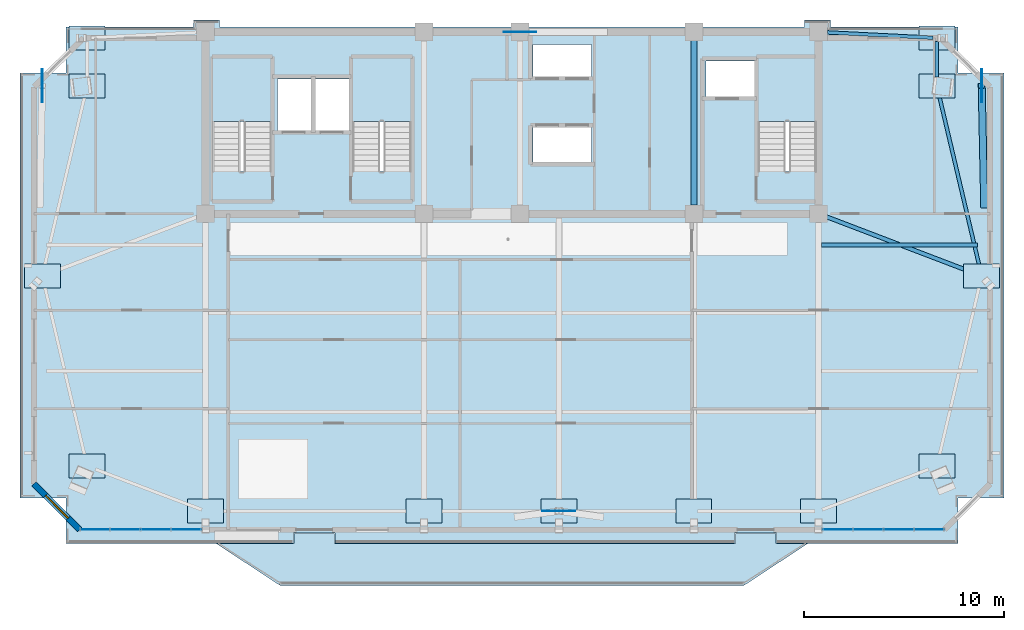
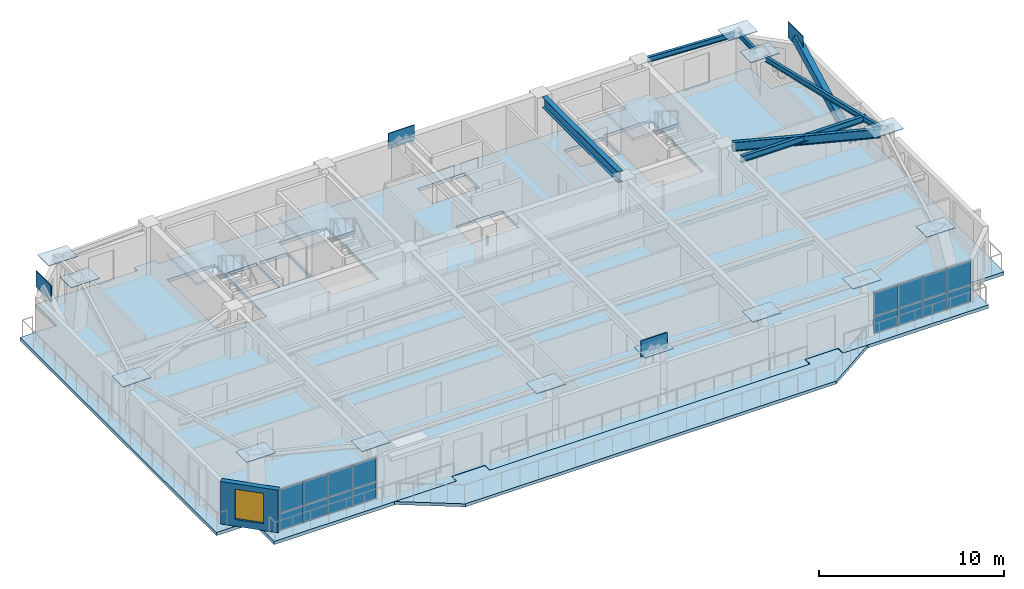
# One storey, part 5 of 13: 33 plates, 6 beams, 5 slabs, 1 member, 1 wall, 1 window, 1 opening, 5 elements without a shape of their own.
"""IFC4 building model written with IfcOpenShell, lengths in metres."""

from ifc_helpers import new_model, si_unit, direction, frame, frame_2d, origin, origin_2d, place, context, subcontext, project, spatial, polyline, rectangle, hollow_rectangle, i_section, outline, extrude, source, transform, mapped, material, layer, layer_set, material_profile, profile_set, type_object, element, fill, aggregate, save


model = new_model("IFC4")

# Units and contexts
model_context = context("Model", 3, precision=1e-05, world=origin(), true_north=direction((0.0, 1.0)))
body_context = subcontext(model_context, "Body", "Model", "MODEL_VIEW")
ifc_project = project(units=[si_unit("LENGTHUNIT", "METRE"), si_unit("AREAUNIT", "SQUARE_METRE"), si_unit("VOLUMEUNIT", "CUBIC_METRE"), si_unit("PLANEANGLEUNIT", "RADIAN"), si_unit("MASSUNIT", "GRAM", prefix="KILO")], contexts=[model_context])

# Site, building, storey
site_placement = place(None, origin())
site = spatial("IfcSite", under=ifc_project, at=site_placement, CompositionType="ELEMENT")
building_placement = place(site_placement, origin())
building = spatial("IfcBuilding", under=site, at=building_placement, Name="Giltprow Tower", CompositionType="ELEMENT")
storey_placement = place(building_placement, frame((0.0, 0.0, 332.300048828125)))
storey = spatial("IfcBuildingStorey", under=building, at=storey_placement, Name="L86", CompositionType="ELEMENT", Elevation=332.300048828125)

# Beams
ifc_material_1 = material(Name="Structural steel Q355B", Category="steel")
ifc_material_profile_1 = material_profile(ifc_material_1, i_section(OverallWidth=0.300048828125, OverallDepth=0.699951171875, WebThickness=0.012939453125, FlangeThickness=0.02392578125, at=origin_2d()), Name="HN 700x300x13x24")
ifc_profile_set_1 = profile_set([ifc_material_profile_1], Name="Structural steel Q355B")
beam_type_1 = type_object("IfcBeamType", Name="BM-GIRD-HN700", PredefinedType="BEAM", material=ifc_profile_set_1)
shared_shape_1 = source(origin(), body_context, "Body", "SweptSolid", [
    extrude(i_section(OverallWidth=0.300048828125, OverallDepth=0.699951171875, WebThickness=0.012939453125, FlangeThickness=0.02392578125, at=origin_2d()), origin(), (0.0, 0.0, 1.0), 8.22998046875),
])
beam_1_placement = place(storey_placement, frame((44.300048828125, 37.885009765625, 2.8349609375), z_axis=(0.0, 1.0, 0.0), x_axis=(-1.0, 0.0, 0.0)))
element("IfcBeam", 1, at=beam_1_placement, inside=storey, type_object=beam_type_1, Name="L86 Core Tie Girder M3", PredefinedType="BEAM", context=body_context, shape_type="MappedRepresentation", body=[
    mapped(shared_shape_1, transform((0.0, 0.0, 0.0), x_axis=(1.0, 0.0, 0.0), y_axis=(0.0, 1.0, 0.0), z_axis=(0.0, 0.0, 1.0), scale=1.0)),
])
ifc_material_profile_2 = material_profile(ifc_material_1, i_section(OverallWidth=0.175048828125, OverallDepth=0.35009765625, WebThickness=0.007080078125, FlangeThickness=0.010986328125, at=origin_2d()), Name="HN 350x175x7x11")
ifc_profile_set_2 = profile_set([ifc_material_profile_2], Name="Structural steel Q355B")
beam_type_2 = type_object("IfcBeamType", Name="BM-SPAN-HN350", PredefinedType="SPANDREL", material=ifc_profile_set_2)
shared_shape_2 = source(origin(), body_context, "Body", "SweptSolid", [
    extrude(i_section(OverallWidth=0.175048828125, OverallDepth=0.35009765625, WebThickness=0.007080078125, FlangeThickness=0.010986328125, at=origin_2d()), origin(), (0.0, 0.0, 1.0), 9.161865234375),
])
beam_2_placement = place(storey_placement, frame((58.673095703125, 34.513916015625, 3.010009765625), z_axis=(-0.22964825006, 0.973273692876, 0.0), x_axis=(-0.973273692876, -0.22964825006, 0.0)))
element("IfcBeam", 2, at=beam_2_placement, inside=storey, type_object=beam_type_2, Name="L86 Perimeter Spandrel Beam E_MID-MC_NE", PredefinedType="SPANDREL", context=body_context, shape_type="MappedRepresentation", body=[
    mapped(shared_shape_2, transform((0.0, 0.0, 0.0), x_axis=(1.0, 0.0, 0.0), y_axis=(0.0, 1.0, 0.0), z_axis=(0.0, 0.0, 1.0), scale=1.0)),
])
shared_shape_3 = source(origin(), body_context, "Body", "SweptSolid", [
    extrude(i_section(OverallWidth=0.175048828125, OverallDepth=0.35009765625, WebThickness=0.007080078125, FlangeThickness=0.010986328125, at=origin_2d()), origin(), (0.0, 0.0, 1.0), 1.77587890625),
])
beam_3_placement = place(storey_placement, frame((56.468994140625, 44.2890625, 3.010009765625), z_axis=(0.0, 1.0, 0.0), x_axis=(-1.0, 0.0, 0.0)))
element("IfcBeam", 3, at=beam_3_placement, inside=storey, type_object=beam_type_2, Name="L86 Perimeter Spandrel Beam MC_NE-N_E", PredefinedType="SPANDREL", context=body_context, shape_type="MappedRepresentation", body=[
    mapped(shared_shape_3, transform((0.0, 0.0, 0.0), x_axis=(1.0, 0.0, 0.0), y_axis=(0.0, 1.0, 0.0), z_axis=(0.0, 0.0, 1.0), scale=1.0)),
])
shared_shape_4 = source(origin(), body_context, "Body", "SweptSolid", [
    extrude(i_section(OverallWidth=0.175048828125, OverallDepth=0.35009765625, WebThickness=0.007080078125, FlangeThickness=0.010986328125, at=origin_2d()), origin(), (0.0, 0.0, 1.0), 5.306884765625),
])
beam_4_placement = place(storey_placement, frame((50.98388671875, 46.528076171875, 3.010009765625), z_axis=(0.998714076234, -0.050697080106, 0.0), x_axis=(0.050697080106, 0.998714076234, 0.0)))
element("IfcBeam", 4, at=beam_4_placement, inside=storey, type_object=beam_type_2, Name="L86 North Wing Spandrel E", PredefinedType="SPANDREL", context=body_context, shape_type="MappedRepresentation", body=[
    mapped(shared_shape_4, transform((0.0, 0.0, 0.0), x_axis=(1.0, 0.0, 0.0), y_axis=(0.0, 1.0, 0.0), z_axis=(0.0, 0.0, 1.0), scale=1.0)),
])
ifc_material_profile_3 = material_profile(ifc_material_1, i_section(OverallWidth=0.199951171875, OverallDepth=0.60009765625, WebThickness=0.010986328125, FlangeThickness=0.01708984375, at=origin_2d()), Name="HN 600x200x11x17")
ifc_profile_set_3 = profile_set([ifc_material_profile_3], Name="Structural steel Q355B")
beam_type_3 = type_object("IfcBeamType", Name="BM-GIRD-HN600", PredefinedType="BEAM", material=ifc_profile_set_3)
shared_shape_5 = source(origin(), body_context, "Body", "SweptSolid", [
    extrude(i_section(OverallWidth=0.199951171875, OverallDepth=0.60009765625, WebThickness=0.010986328125, FlangeThickness=0.01708984375, at=origin_2d()), origin(), (0.0, 0.0, 1.0), 8.11962890625),
])
beam_5_placement = place(storey_placement, frame((58.5419921875, 34.39990234375, 2.885009765625), z_axis=(-0.934277035034, 0.356547923579, 0.0), x_axis=(-0.356547923579, -0.934277035034, 0.0)))
element("IfcBeam", 5, at=beam_5_placement, inside=storey, type_object=beam_type_3, Name="L86 East Wing Primary Girder", PredefinedType="BEAM", context=body_context, shape_type="MappedRepresentation", body=[
    mapped(shared_shape_5, transform((0.0, 0.0, 0.0), x_axis=(1.0, 0.0, 0.0), y_axis=(0.0, 1.0, 0.0), z_axis=(0.0, 0.0, 1.0), scale=1.0)),
])
ifc_material_profile_4 = material_profile(ifc_material_1, i_section(OverallWidth=0.199951171875, OverallDepth=0.39990234375, WebThickness=0.008056640625, FlangeThickness=0.012939453125, at=origin_2d()), Name="HN 400x200x8x13")
ifc_profile_set_4 = profile_set([ifc_material_profile_4], Name="Structural steel Q355B")
beam_type_4 = type_object("IfcBeamType", Name="BM-JOIST-HN400", PredefinedType="JOIST", material=ifc_profile_set_4)
shared_shape_6 = source(origin(), body_context, "Body", "SweptSolid", [
    extrude(i_section(OverallWidth=0.199951171875, OverallDepth=0.39990234375, WebThickness=0.008056640625, FlangeThickness=0.012939453125, at=origin_2d()), origin(), (0.0, 0.0, 1.0), 7.800048828125),
])
beam_6_placement = place(storey_placement, frame((50.695068359375, 35.89208984375, 2.98486328125), z_axis=(1.0, 0.0, 0.0), x_axis=(0.0, 1.0, 0.0)))
element("IfcBeam", 6, at=beam_6_placement, inside=storey, type_object=beam_type_4, Name="L86 East Wing Floor Joist 2", PredefinedType="JOIST", context=body_context, shape_type="MappedRepresentation", body=[
    mapped(shared_shape_6, transform((0.0, 0.0, 0.0), x_axis=(1.0, 0.0, 0.0), y_axis=(0.0, 1.0, 0.0), z_axis=(0.0, 0.0, 1.0), scale=1.0)),
])

# Member
ifc_material_2 = material(Name="Structural steel Q420GJC", Category="steel")
ifc_material_profile_5 = material_profile(ifc_material_2, hollow_rectangle(XDim=0.35009765625, YDim=0.5, WallThickness=0.02392578125, at=origin_2d()), Name="RHS 500x350x24")
ifc_profile_set_5 = profile_set([ifc_material_profile_5], Name="Structural steel Q420GJC")
member_type = type_object("IfcMemberType", Name="MBR-MEGA-RHS500", PredefinedType="BRACE", material=ifc_profile_set_5)
shared_shape_7 = source(origin(), body_context, "Body", "SweptSolid", [
    extrude(hollow_rectangle(XDim=0.35009765625, YDim=0.5, WallThickness=0.02392578125, at=origin_2d()), origin(), (0.0, 0.0, 1.0), 6.893310546875),
])
member_placement = place(storey_placement, frame((58.840087890625, 37.85888671875, 0.0), z_axis=(-0.01813377777, 0.869712982287, 0.493224588342), x_axis=(-0.999782703314, -0.020845770651, 0.0)))
element("IfcMember", 7, at=member_placement, inside=storey, type_object=member_type, Name="L86 Chevron Mega-Brace E-D", PredefinedType="BRACE", context=body_context, shape_type="MappedRepresentation", body=[
    mapped(shared_shape_7, transform((0.0, 0.0, 0.0), x_axis=(1.0, 0.0, 0.0), y_axis=(0.0, 1.0, 0.0), z_axis=(0.0, 0.0, 1.0), scale=1.0)),
])

# Slabs
ifc_material_3 = material(Name="Concrete C40", Category="concrete")
ifc_layer_1 = layer(ifc_material_3, 0.199951171875, Name="Concrete C40")
ifc_layer_set_1 = layer_set([ifc_layer_1], Name="Concrete C40")
slab_type_1 = type_object("IfcSlabType", Name="SLB-BALC-BRONZE-200", PredefinedType="FLOOR", material=ifc_layer_set_1)
slab_1_placement = place(storey_placement, frame((0.0, 0.0, -0.199951171875)))
element("IfcSlab", 8, at=slab_1_placement, inside=storey, type_object=slab_type_1, Name="L86 Bronze Prow Waterfront Balcony Slab", PredefinedType="FLOOR", context=body_context, shape_type="SweptSolid", body=[
    extrude(outline(polyline([(50.0, 20.93603515625), (46.800048828125, 18.8359375), (23.60009765625, 18.8359375), (20.39990234375, 20.93603515625), (24.280029296875, 20.93603515625), (24.280029296875, 21.43603515625), (26.320068359375, 21.43603515625), (26.320068359375, 20.93603515625), (46.3798828125, 20.93603515625), (46.3798828125, 21.43603515625), (48.419921875, 21.43603515625), (48.419921875, 20.93603515625), (50.0, 20.93603515625)])), origin(), (0.0, 0.0, 1.0), 0.199951171875),
])
ifc_layer_2 = layer(ifc_material_3, 0.215087890625, Name="Concrete C40")
ifc_layer_set_2 = layer_set([ifc_layer_2], Name="Concrete C40")
slab_type_2 = type_object("IfcSlabType", Name="SLB-RES-215", PredefinedType="FLOOR", material=ifc_layer_set_2)
slab_2_placement = place(storey_placement, frame((0.0, 0.0, -0.215087890625)))
element("IfcSlab", 9, at=slab_2_placement, inside=storey, type_object=slab_type_2, Name="L86 Structural Composite Floor Slab", PredefinedType="FLOOR", context=body_context, shape_type="SweptSolid", body=[
    extrude(outline(polyline([(59.8310546875, 44.508056640625), (59.8310546875, 23.22802734375), (57.5380859375, 23.22802734375), (57.5380859375, 20.93603515625), (48.449951171875, 20.93603515625), (48.449951171875, 21.4560546875), (46.35009765625, 21.4560546875), (46.35009765625, 20.93603515625), (26.35009765625, 20.93603515625), (26.35009765625, 21.4560546875), (24.25, 21.4560546875), (24.25, 20.93603515625), (12.862060546875, 20.93603515625), (12.862060546875, 23.22802734375), (10.570068359375, 23.22802734375), (10.570068359375, 44.508056640625), (12.862060546875, 44.508056640625), (12.862060546875, 46.800048828125), (19.25, 46.800048828125), (19.25, 47.14990234375), (20.550048828125, 47.14990234375), (20.550048828125, 46.800048828125), (49.85009765625, 46.800048828125), (49.85009765625, 47.14990234375), (51.14990234375, 47.14990234375), (51.14990234375, 46.800048828125), (57.5380859375, 46.800048828125), (57.5380859375, 44.508056640625), (59.8310546875, 44.508056640625)]), holes=[polyline([(39.18994140625, 41.800048828125), (36.239990234375, 41.800048828125), (36.239990234375, 40.0), (39.18994140625, 40.0), (39.18994140625, 41.800048828125)]), polyline([(23.159912109375, 39.570068359375), (23.159912109375, 45.25), (20.199951171875, 45.25), (20.199951171875, 39.570068359375), (23.159912109375, 39.570068359375)]), polyline([(30.159912109375, 39.570068359375), (30.159912109375, 45.25), (27.199951171875, 45.25), (27.199951171875, 39.570068359375), (30.159912109375, 39.570068359375)]), polyline([(50.4599609375, 45.25), (47.5, 45.25), (47.5, 39.570068359375), (50.4599609375, 39.570068359375), (50.4599609375, 45.25)]), polyline([(25.169921875, 44.199951171875), (23.449951171875, 44.199951171875), (23.449951171875, 41.60009765625), (25.169921875, 41.60009765625), (25.169921875, 44.199951171875)]), polyline([(27.10009765625, 44.199951171875), (25.35009765625, 44.199951171875), (25.35009765625, 41.60009765625), (27.10009765625, 41.60009765625), (27.10009765625, 44.199951171875)]), polyline([(47.3798828125, 43.300048828125), (47.3798828125, 45.10009765625), (44.919921875, 45.10009765625), (44.919921875, 43.300048828125), (47.3798828125, 43.300048828125)]), polyline([(39.18994140625, 44.300048828125), (39.18994140625, 45.919921875), (36.239990234375, 45.919921875), (36.239990234375, 44.300048828125), (39.18994140625, 44.300048828125)])]), origin(), (0.0, 0.0, 1.0), 0.215087890625),
])

# Stair, slab
stair_type_1 = type_object("IfcStairType", Name="STR-ST-1", PredefinedType="HALF_TURN_STAIR", material=ifc_material_3)
stair_1_placement = place(storey_placement, origin())
stair_1 = element("IfcStair", 10, at=stair_1_placement, inside=storey, type_object=stair_type_1, Name="L86 Core Exit Stair ST-1", PredefinedType="HALF_TURN_STAIR")
ifc_layer_3 = layer(ifc_material_3, 0.179931640625, Name="Concrete C40")
ifc_layer_set_3 = layer_set([ifc_layer_3], Name="Concrete C40")
slab_type_3 = type_object("IfcSlabType", Name="SLD-ST-1", PredefinedType="LANDING", material=ifc_layer_set_3)
slab_3_placement = place(storey_placement, frame((0.0, 0.0, 1.52001953125)))
slab_3 = element("IfcSlab", 11, at=slab_3_placement, type_object=slab_type_3, Name="ST-1 landing 1", PredefinedType="LANDING", context=body_context, shape_type="SweptSolid", body=[
    extrude(outline(polyline([(23.159912109375, 42.070068359375), (23.159912109375, 45.25), (20.199951171875, 45.25), (20.199951171875, 42.070068359375), (23.159912109375, 42.070068359375)])), origin(), (0.0, 0.0, 1.0), 0.179931640625),
])
aggregate(stair_1, [slab_3])

stair_type_2 = type_object("IfcStairType", Name="STR-ST-2", PredefinedType="HALF_TURN_STAIR", material=ifc_material_3)
stair_2_placement = place(storey_placement, origin())
stair_2 = element("IfcStair", 12, at=stair_2_placement, inside=storey, type_object=stair_type_2, Name="L86 Core Exit Stair ST-2", PredefinedType="HALF_TURN_STAIR")
ifc_layer_4 = layer(ifc_material_3, 0.18798828125, Name="Concrete C40")
ifc_layer_set_4 = layer_set([ifc_layer_4], Name="Concrete C40")
slab_type_4 = type_object("IfcSlabType", Name="SLD-ST-2", PredefinedType="LANDING", material=ifc_layer_set_4)
slab_4_placement = place(storey_placement, frame((0.0, 0.0, 1.511962890625)))
slab_4 = element("IfcSlab", 13, at=slab_4_placement, type_object=slab_type_4, Name="ST-2 landing 1", PredefinedType="LANDING", context=body_context, shape_type="SweptSolid", body=[
    extrude(outline(polyline([(30.159912109375, 42.070068359375), (30.159912109375, 45.25), (27.199951171875, 45.25), (27.199951171875, 42.070068359375), (30.159912109375, 42.070068359375)])), origin(), (0.0, 0.0, 1.0), 0.18798828125),
])
aggregate(stair_2, [slab_4])

stair_type_3 = type_object("IfcStairType", Name="STR-ST-3", PredefinedType="HALF_TURN_STAIR", material=ifc_material_3)
stair_3_placement = place(storey_placement, origin())
stair_3 = element("IfcStair", 14, at=stair_3_placement, inside=storey, type_object=stair_type_3, Name="L86 Core Exit Stair ST-3", PredefinedType="HALF_TURN_STAIR")
ifc_layer_5 = layer(ifc_material_3, 0.196044921875, Name="Concrete C40")
ifc_layer_set_5 = layer_set([ifc_layer_5], Name="Concrete C40")
slab_type_5 = type_object("IfcSlabType", Name="SLD-ST-3", PredefinedType="LANDING", material=ifc_layer_set_5)
slab_5_placement = place(storey_placement, frame((0.0, 0.0, 1.50390625)))
slab_5 = element("IfcSlab", 15, at=slab_5_placement, type_object=slab_type_5, Name="ST-3 landing 1", PredefinedType="LANDING", context=body_context, shape_type="SweptSolid", body=[
    extrude(outline(polyline([(50.4599609375, 42.070068359375), (50.4599609375, 45.25), (47.5, 45.25), (47.5, 42.070068359375), (50.4599609375, 42.070068359375)])), origin(), (0.0, 0.0, 1.0), 0.196044921875),
])
aggregate(stair_3, [slab_5])

# Plates
plate_type_1 = type_object("IfcPlateType", Name="PLT-NODE-CKN1", PredefinedType="USERDEFINED", material=ifc_material_2)
shared_shape_8 = source(origin(), body_context, "Body", "SweptSolid", [
    extrude(rectangle(XDim=1.800048828125, YDim=1.199951171875, at=origin_2d()), origin(), (0.0, 0.0, 1.0), 0.044921875),
])
for number, where, z_axis, x_axis, name in (
    (16, (13.930908203125, 24.81396484375, 3.142578125), (0.0, 0.0, 1.0), (1.0, 0.0, 0.0), "CKN1 Column Taper Splice Node L86-MC_SW"),
    (17, (56.468994140625, 24.81396484375, 3.142578125), (0.0, 0.0, 1.0), (1.0, 0.0, 0.0), "CKN1 Column Taper Splice Node L86-MC_SE"),
    (18, (13.930908203125, 43.85400390625, 3.142578125), (0.0, 0.0, 1.0), (1.0, 0.0, 0.0), "CKN1 Column Taper Splice Node L86-MC_NW"),
    (19, (56.468994140625, 43.85400390625, 3.142578125), (0.0, 0.0, 1.0), (1.0, 0.0, 0.0), "CKN1 Column Taper Splice Node L86-MC_NE"),
    (20, (19.85009765625, 22.568115234375, 3.142578125), (0.0, 0.0, 1.0), (1.0, 0.0, 0.0), "CKN1 Column Taper Splice Node L86-S1"),
    (21, (30.800048828125, 22.568115234375, 3.142578125), (0.0, 0.0, 1.0), (1.0, 0.0, 0.0), "CKN1 Column Taper Splice Node L86-S2"),
    (22, (37.550048828125, 22.568115234375, 3.142578125), (0.0, 0.0, 1.0), (1.0, 0.0, 0.0), "CKN1 Column Taper Splice Node L86-S_MID"),
    (23, (44.300048828125, 22.568115234375, 3.142578125), (0.0, 0.0, 1.0), (1.0, 0.0, 0.0), "CKN1 Column Taper Splice Node L86-S3"),
    (24, (50.550048828125, 22.568115234375, 3.142578125), (0.0, 0.0, 1.0), (1.0, 0.0, 0.0), "CKN1 Column Taper Splice Node L86-S4"),
    (25, (11.68505859375, 34.333984375, 3.142578125), (0.0, 0.0, 1.0), (1.0, 0.0, 0.0), "CKN1 Column Taper Splice Node L86-W_MID"),
    (26, (58.715087890625, 34.333984375, 3.142578125), (0.0, 0.0, 1.0), (1.0, 0.0, 0.0), "CKN1 Column Taper Splice Node L86-E_MID"),
    (27, (13.930908203125, 46.25, 3.142578125), (0.0, 0.0, 1.0), (1.0, 0.0, 0.0), "CKN1 Column Taper Splice Node L86-N_W"),
    (28, (56.468994140625, 46.25, 3.142578125), (0.0, 0.0, 1.0), (1.0, 0.0, 0.0), "CKN1 Column Taper Splice Node L86-N_E"),
):
    element("IfcPlate", number, at=place(storey_placement, frame(where, z_axis=z_axis, x_axis=x_axis)), inside=storey, type_object=plate_type_1, Name=name, ObjectType="SPLICE", PredefinedType="USERDEFINED", context=body_context, shape_type="MappedRepresentation", body=[
        mapped(shared_shape_8, transform((0.0, 0.0, 0.0), x_axis=(1.0, 0.0, 0.0), y_axis=(0.0, 1.0, 0.0), z_axis=(0.0, 0.0, 1.0), scale=1.0)),
    ])
plate_type_2 = type_object("IfcPlateType", Name="PLT-NODE-MBN2", PredefinedType="USERDEFINED", material=ifc_material_2)
shared_shape_9 = source(origin(), body_context, "Body", "SweptSolid", [
    extrude(rectangle(XDim=1.64990234375, YDim=0.044921875, at=origin_2d()), origin(), (0.0, 0.0, 1.0), 1.050048828125),
])
for number, where, z_axis, x_axis, name in (
    (29, (37.550048828125, 22.568115234375, 2.875), (0.0, 0.0, 1.0), (1.0, 0.0, 0.0), "Mega-Brace Node L86-S-LB"),
    (30, (35.60009765625, 46.550048828125, 2.73486328125), (0.0, 0.0, 1.0), (1.0, 0.0, 0.0), "Mega-Brace Node L86-N-LB"),
    (31, (11.68505859375, 43.85400390625, 2.875), (0.0, 0.0, 1.0), (0.0, 1.0, 0.0), "Mega-Brace Node L86-W-DB"),
    (32, (58.715087890625, 43.85400390625, 2.875), (0.0, 0.0, 1.0), (0.0, 1.0, 0.0), "Mega-Brace Node L86-E-DB"),
):
    element("IfcPlate", number, at=place(storey_placement, frame(where, z_axis=z_axis, x_axis=x_axis)), inside=storey, type_object=plate_type_2, Name=name, ObjectType="GUSSET", PredefinedType="USERDEFINED", context=body_context, shape_type="MappedRepresentation", body=[
        mapped(shared_shape_9, transform((0.0, 0.0, 0.0), x_axis=(1.0, 0.0, 0.0), y_axis=(0.0, 1.0, 0.0), z_axis=(0.0, 0.0, 1.0), scale=1.0)),
    ])

# Curtain wall, plates
ifc_material_4 = material(Name="Anodized bronze", Category="metal")
ifc_layer_6 = layer(ifc_material_4, 0.179931640625, Name="Anodized bronze")
ifc_layer_set_6 = layer_set([ifc_layer_6], Name="Anodized bronze")
curtain_wall_type = type_object("IfcCurtainWallType", Name="CW-RES-SKY", PredefinedType="NOTDEFINED", material=ifc_layer_set_6)
curtain_wall_1_placement = place(storey_placement, origin())
curtain_wall_1 = element("IfcCurtainWall", 33, at=curtain_wall_1_placement, inside=storey, type_object=curtain_wall_type, Name="L86 South Recessed Curtain Wall 1", PredefinedType="NOTDEFINED")
ifc_material_5 = material(Name="Insulated glass", Category="glass")
plate_type_3 = type_object("IfcPlateType", Name="CW-PANEL-IGU-28", PredefinedType="CURTAIN_PANEL", material=ifc_material_5)
shared_shape_10 = source(origin(), body_context, "Body", "SweptSolid", [
    extrude(rectangle(XDim=1.491943359375, YDim=0.028076171875, at=origin_2d()), origin(), (0.0, 0.0, 1.0), 1.114013671875),
])
plate_1_placement = place(storey_placement, frame((14.322998046875, 21.635986328125, 0.0537109375), z_axis=(0.0, 0.0, 1.0), x_axis=(1.0, 0.0, 0.0)))
plate_1 = element("IfcPlate", 34, at=plate_1_placement, type_object=plate_type_3, Name="L86 South Recessed Curtain Wall 1 Glazing Panel 1-1", PredefinedType="CURTAIN_PANEL", context=body_context, shape_type="MappedRepresentation", body=[
    mapped(shared_shape_10, transform((0.0, 0.0, 0.0), x_axis=(1.0, 0.0, 0.0), y_axis=(0.0, 1.0, 0.0), z_axis=(0.0, 0.0, 1.0), scale=1.0)),
])
plate_2_placement = place(storey_placement, frame((15.844970703125, 21.635986328125, 0.0537109375), z_axis=(0.0, 0.0, 1.0), x_axis=(1.0, 0.0, 0.0)))
plate_2 = element("IfcPlate", 35, at=plate_2_placement, type_object=plate_type_3, Name="L86 South Recessed Curtain Wall 1 Glazing Panel 2-1", PredefinedType="CURTAIN_PANEL", context=body_context, shape_type="MappedRepresentation", body=[
    mapped(shared_shape_10, transform((0.0, 0.0, 0.0), x_axis=(1.0, 0.0, 0.0), y_axis=(0.0, 1.0, 0.0), z_axis=(0.0, 0.0, 1.0), scale=1.0)),
])
plate_3_placement = place(storey_placement, frame((17.366943359375, 21.635986328125, 0.0537109375), z_axis=(0.0, 0.0, 1.0), x_axis=(1.0, 0.0, 0.0)))
plate_3 = element("IfcPlate", 36, at=plate_3_placement, type_object=plate_type_3, Name="L86 South Recessed Curtain Wall 1 Glazing Panel 3-1", PredefinedType="CURTAIN_PANEL", context=body_context, shape_type="MappedRepresentation", body=[
    mapped(shared_shape_10, transform((0.0, 0.0, 0.0), x_axis=(1.0, 0.0, 0.0), y_axis=(0.0, 1.0, 0.0), z_axis=(0.0, 0.0, 1.0), scale=1.0)),
])
plate_4_placement = place(storey_placement, frame((18.888916015625, 21.635986328125, 0.0537109375), z_axis=(0.0, 0.0, 1.0), x_axis=(1.0, 0.0, 0.0)))
plate_4 = element("IfcPlate", 37, at=plate_4_placement, type_object=plate_type_3, Name="L86 South Recessed Curtain Wall 1 Glazing Panel 4-1", PredefinedType="CURTAIN_PANEL", context=body_context, shape_type="MappedRepresentation", body=[
    mapped(shared_shape_10, transform((0.0, 0.0, 0.0), x_axis=(1.0, 0.0, 0.0), y_axis=(0.0, 1.0, 0.0), z_axis=(0.0, 0.0, 1.0), scale=1.0)),
])

curtain_wall_2_placement = place(storey_placement, origin())
curtain_wall_2 = element("IfcCurtainWall", 38, at=curtain_wall_2_placement, inside=storey, type_object=curtain_wall_type, Name="L86 South Recessed Curtain Wall 6", PredefinedType="NOTDEFINED")
plate_5_placement = place(storey_placement, frame((51.510986328125, 21.635986328125, 0.0537109375), z_axis=(0.0, 0.0, 1.0), x_axis=(1.0, 0.0, 0.0)))
plate_5 = element("IfcPlate", 39, at=plate_5_placement, type_object=plate_type_3, Name="L86 South Recessed Curtain Wall 6 Glazing Panel 1-1", PredefinedType="CURTAIN_PANEL", context=body_context, shape_type="MappedRepresentation", body=[
    mapped(shared_shape_10, transform((0.0, 0.0, 0.0), x_axis=(1.0, 0.0, 0.0), y_axis=(0.0, 1.0, 0.0), z_axis=(0.0, 0.0, 1.0), scale=1.0)),
])
plate_6_placement = place(storey_placement, frame((53.032958984375, 21.635986328125, 0.0537109375), z_axis=(0.0, 0.0, 1.0), x_axis=(1.0, 0.0, 0.0)))
plate_6 = element("IfcPlate", 40, at=plate_6_placement, type_object=plate_type_3, Name="L86 South Recessed Curtain Wall 6 Glazing Panel 2-1", PredefinedType="CURTAIN_PANEL", context=body_context, shape_type="MappedRepresentation", body=[
    mapped(shared_shape_10, transform((0.0, 0.0, 0.0), x_axis=(1.0, 0.0, 0.0), y_axis=(0.0, 1.0, 0.0), z_axis=(0.0, 0.0, 1.0), scale=1.0)),
])
plate_7_placement = place(storey_placement, frame((54.555908203125, 21.635986328125, 0.0537109375), z_axis=(0.0, 0.0, 1.0), x_axis=(1.0, 0.0, 0.0)))
plate_7 = element("IfcPlate", 41, at=plate_7_placement, type_object=plate_type_3, Name="L86 South Recessed Curtain Wall 6 Glazing Panel 3-1", PredefinedType="CURTAIN_PANEL", context=body_context, shape_type="MappedRepresentation", body=[
    mapped(shared_shape_10, transform((0.0, 0.0, 0.0), x_axis=(1.0, 0.0, 0.0), y_axis=(0.0, 1.0, 0.0), z_axis=(0.0, 0.0, 1.0), scale=1.0)),
])
plate_8_placement = place(storey_placement, frame((56.077880859375, 21.635986328125, 0.0537109375), z_axis=(0.0, 0.0, 1.0), x_axis=(1.0, 0.0, 0.0)))
plate_8 = element("IfcPlate", 42, at=plate_8_placement, type_object=plate_type_3, Name="L86 South Recessed Curtain Wall 6 Glazing Panel 4-1", PredefinedType="CURTAIN_PANEL", context=body_context, shape_type="MappedRepresentation", body=[
    mapped(shared_shape_10, transform((0.0, 0.0, 0.0), x_axis=(1.0, 0.0, 0.0), y_axis=(0.0, 1.0, 0.0), z_axis=(0.0, 0.0, 1.0), scale=1.0)),
])

# Plate
shared_shape_11 = source(origin(), body_context, "Body", "SweptSolid", [
    extrude(rectangle(XDim=1.491943359375, YDim=0.028076171875, at=origin_2d()), origin(), (0.0, 0.0, 1.0), 1.56494140625),
])
plate_9_placement = place(storey_placement, frame((14.322998046875, 21.635986328125, 1.196533203125), z_axis=(0.0, 0.0, 1.0), x_axis=(1.0, 0.0, 0.0)))
plate_9 = element("IfcPlate", 43, at=plate_9_placement, type_object=plate_type_3, Name="L86 South Recessed Curtain Wall 1 Glazing Panel 1-2", PredefinedType="CURTAIN_PANEL", context=body_context, shape_type="MappedRepresentation", body=[
    mapped(shared_shape_11, transform((0.0, 0.0, 0.0), x_axis=(1.0, 0.0, 0.0), y_axis=(0.0, 1.0, 0.0), z_axis=(0.0, 0.0, 1.0), scale=1.0)),
])

plate_10_placement = place(storey_placement, frame((15.844970703125, 21.635986328125, 1.196533203125), z_axis=(0.0, 0.0, 1.0), x_axis=(1.0, 0.0, 0.0)))
plate_10 = element("IfcPlate", 44, at=plate_10_placement, type_object=plate_type_3, Name="L86 South Recessed Curtain Wall 1 Glazing Panel 2-2", PredefinedType="CURTAIN_PANEL", context=body_context, shape_type="MappedRepresentation", body=[
    mapped(shared_shape_11, transform((0.0, 0.0, 0.0), x_axis=(1.0, 0.0, 0.0), y_axis=(0.0, 1.0, 0.0), z_axis=(0.0, 0.0, 1.0), scale=1.0)),
])

plate_11_placement = place(storey_placement, frame((17.366943359375, 21.635986328125, 1.196533203125), z_axis=(0.0, 0.0, 1.0), x_axis=(1.0, 0.0, 0.0)))
plate_11 = element("IfcPlate", 45, at=plate_11_placement, type_object=plate_type_3, Name="L86 South Recessed Curtain Wall 1 Glazing Panel 3-2", PredefinedType="CURTAIN_PANEL", context=body_context, shape_type="MappedRepresentation", body=[
    mapped(shared_shape_11, transform((0.0, 0.0, 0.0), x_axis=(1.0, 0.0, 0.0), y_axis=(0.0, 1.0, 0.0), z_axis=(0.0, 0.0, 1.0), scale=1.0)),
])

plate_12_placement = place(storey_placement, frame((18.888916015625, 21.635986328125, 1.196533203125), z_axis=(0.0, 0.0, 1.0), x_axis=(1.0, 0.0, 0.0)))
plate_12 = element("IfcPlate", 46, at=plate_12_placement, type_object=plate_type_3, Name="L86 South Recessed Curtain Wall 1 Glazing Panel 4-2", PredefinedType="CURTAIN_PANEL", context=body_context, shape_type="MappedRepresentation", body=[
    mapped(shared_shape_11, transform((0.0, 0.0, 0.0), x_axis=(1.0, 0.0, 0.0), y_axis=(0.0, 1.0, 0.0), z_axis=(0.0, 0.0, 1.0), scale=1.0)),
])

aggregate(curtain_wall_1, [plate_1, plate_9, plate_2, plate_10, plate_3, plate_11, plate_4, plate_12])

plate_13_placement = place(storey_placement, frame((51.510986328125, 21.635986328125, 1.196533203125), z_axis=(0.0, 0.0, 1.0), x_axis=(1.0, 0.0, 0.0)))
plate_13 = element("IfcPlate", 47, at=plate_13_placement, type_object=plate_type_3, Name="L86 South Recessed Curtain Wall 6 Glazing Panel 1-2", PredefinedType="CURTAIN_PANEL", context=body_context, shape_type="MappedRepresentation", body=[
    mapped(shared_shape_11, transform((0.0, 0.0, 0.0), x_axis=(1.0, 0.0, 0.0), y_axis=(0.0, 1.0, 0.0), z_axis=(0.0, 0.0, 1.0), scale=1.0)),
])

plate_14_placement = place(storey_placement, frame((53.032958984375, 21.635986328125, 1.196533203125), z_axis=(0.0, 0.0, 1.0), x_axis=(1.0, 0.0, 0.0)))
plate_14 = element("IfcPlate", 48, at=plate_14_placement, type_object=plate_type_3, Name="L86 South Recessed Curtain Wall 6 Glazing Panel 2-2", PredefinedType="CURTAIN_PANEL", context=body_context, shape_type="MappedRepresentation", body=[
    mapped(shared_shape_11, transform((0.0, 0.0, 0.0), x_axis=(1.0, 0.0, 0.0), y_axis=(0.0, 1.0, 0.0), z_axis=(0.0, 0.0, 1.0), scale=1.0)),
])

plate_15_placement = place(storey_placement, frame((54.555908203125, 21.635986328125, 1.196533203125), z_axis=(0.0, 0.0, 1.0), x_axis=(1.0, 0.0, 0.0)))
plate_15 = element("IfcPlate", 49, at=plate_15_placement, type_object=plate_type_3, Name="L86 South Recessed Curtain Wall 6 Glazing Panel 3-2", PredefinedType="CURTAIN_PANEL", context=body_context, shape_type="MappedRepresentation", body=[
    mapped(shared_shape_11, transform((0.0, 0.0, 0.0), x_axis=(1.0, 0.0, 0.0), y_axis=(0.0, 1.0, 0.0), z_axis=(0.0, 0.0, 1.0), scale=1.0)),
])

plate_16_placement = place(storey_placement, frame((56.077880859375, 21.635986328125, 1.196533203125), z_axis=(0.0, 0.0, 1.0), x_axis=(1.0, 0.0, 0.0)))
plate_16 = element("IfcPlate", 50, at=plate_16_placement, type_object=plate_type_3, Name="L86 South Recessed Curtain Wall 6 Glazing Panel 4-2", PredefinedType="CURTAIN_PANEL", context=body_context, shape_type="MappedRepresentation", body=[
    mapped(shared_shape_11, transform((0.0, 0.0, 0.0), x_axis=(1.0, 0.0, 0.0), y_axis=(0.0, 1.0, 0.0), z_axis=(0.0, 0.0, 1.0), scale=1.0)),
])

aggregate(curtain_wall_2, [plate_5, plate_13, plate_6, plate_14, plate_7, plate_15, plate_8, plate_16])

# Wall, opening, window
ifc_material_6 = material(Name="Precast concrete C40", Category="concrete")
ifc_layer_7 = layer(ifc_material_6, 0.300048828125, Name="Precast concrete C40")
ifc_layer_set_7 = layer_set([ifc_layer_7], Name="Precast concrete C40")
wall_type = type_object("IfcWallType", Name="EW-NOTCH-CHAMFER-300", PredefinedType="SOLIDWALL", material=ifc_layer_set_7)
wall_placement = place(storey_placement, frame((11.27001953125, 23.927978515625, 0.0), z_axis=(0.0, 0.0, 1.0), x_axis=(0.707106781187, -0.707106781187, 0.0)))
wall = element("IfcWall", 51, at=wall_placement, inside=storey, type_object=wall_type, Name="L86 Corner Notch Wall SW", PredefinedType="SOLIDWALL", context=body_context, shape_type="SweptSolid", body=[
    extrude(rectangle(XDim=3.241455078125, YDim=0.300048828125, at=frame_2d((1.62060546875, 0.0))), origin(), (0.0, 0.0, 1.0), 2.81494140625),
])
opening_placement = place(wall_placement, frame((0.821044921875, 0.0, 0.449951171875)))
opening = element("IfcOpeningElement", 52, at=opening_placement, cuts=wall, Name="Opening WN17", PredefinedType="OPENING", context=body_context, shape_type="SweptSolid", body=[
    extrude(rectangle(XDim=1.60009765625, YDim=2.0, at=frame_2d((0.800048828125, 1.0))), frame((0.0, 0.159912109375, 0.0), z_axis=(0.0, -1.0, 0.0), x_axis=(1.0, 0.0, 0.0)), (0.0, 0.0, 1.0), 0.320068359375),
])
window_type = type_object("IfcWindowType", Name="WN-COR-1600x2000", PartitioningType="SINGLE_PANEL", PredefinedType="WINDOW", material=ifc_material_5)
shared_shape_12 = source(origin(), body_context, "Body", "SweptSolid", [
    extrude(rectangle(XDim=1.60009765625, YDim=2.0, at=frame_2d((0.800048828125, 1.0))), frame((0.0, 0.030029296875, 0.0), z_axis=(0.0, -1.0, 0.0), x_axis=(1.0, 0.0, 0.0)), (0.0, 0.0, 1.0), 0.06005859375),
])
window_placement = place(opening_placement, origin())
window = element("IfcWindow", 53, at=window_placement, inside=storey, type_object=window_type, Name="L86 Corner Notch Window SW", OverallHeight=2.0, OverallWidth=1.60009765625, PartitioningType="SINGLE_PANEL", PredefinedType="WINDOW", context=body_context, shape_type="MappedRepresentation", body=[
    mapped(shared_shape_12, transform((0.0, 0.0, 0.0), x_axis=(1.0, 0.0, 0.0), y_axis=(0.0, 1.0, 0.0), z_axis=(0.0, 0.0, 1.0), scale=1.0)),
])
fill(opening, window)

save(model, "model.ifc")
